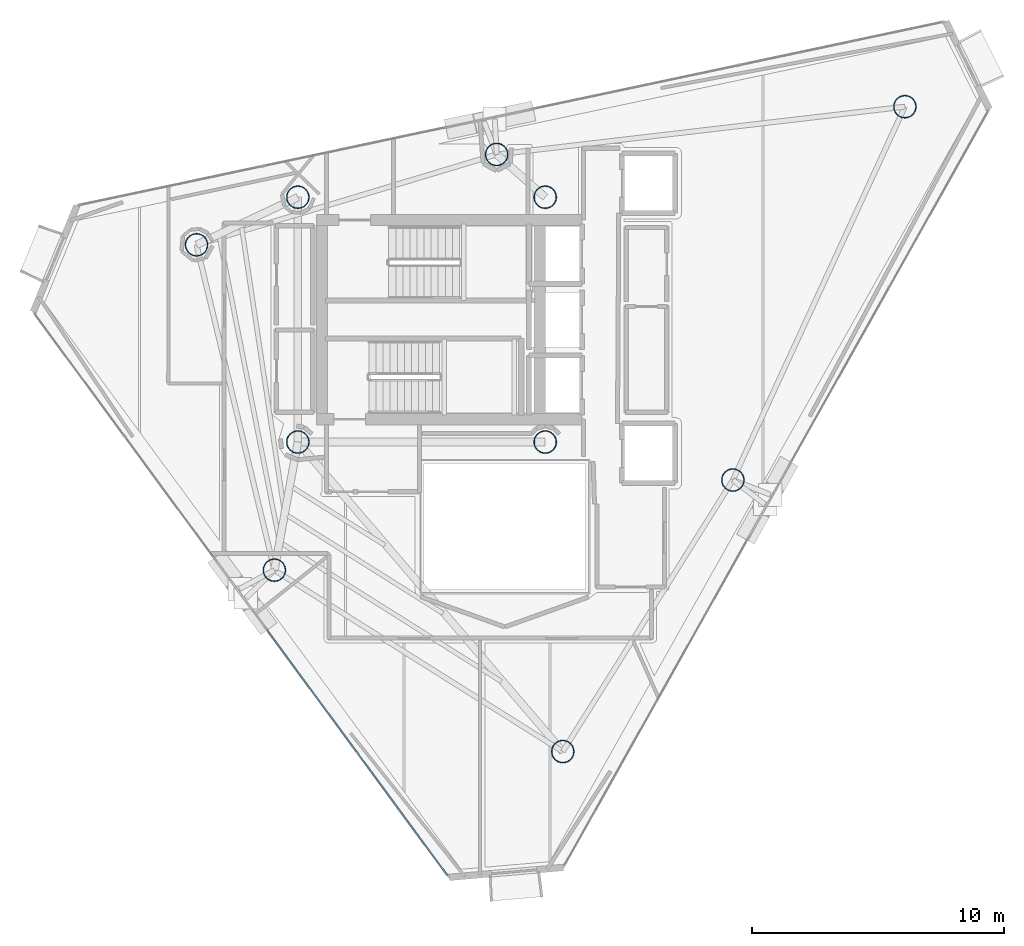
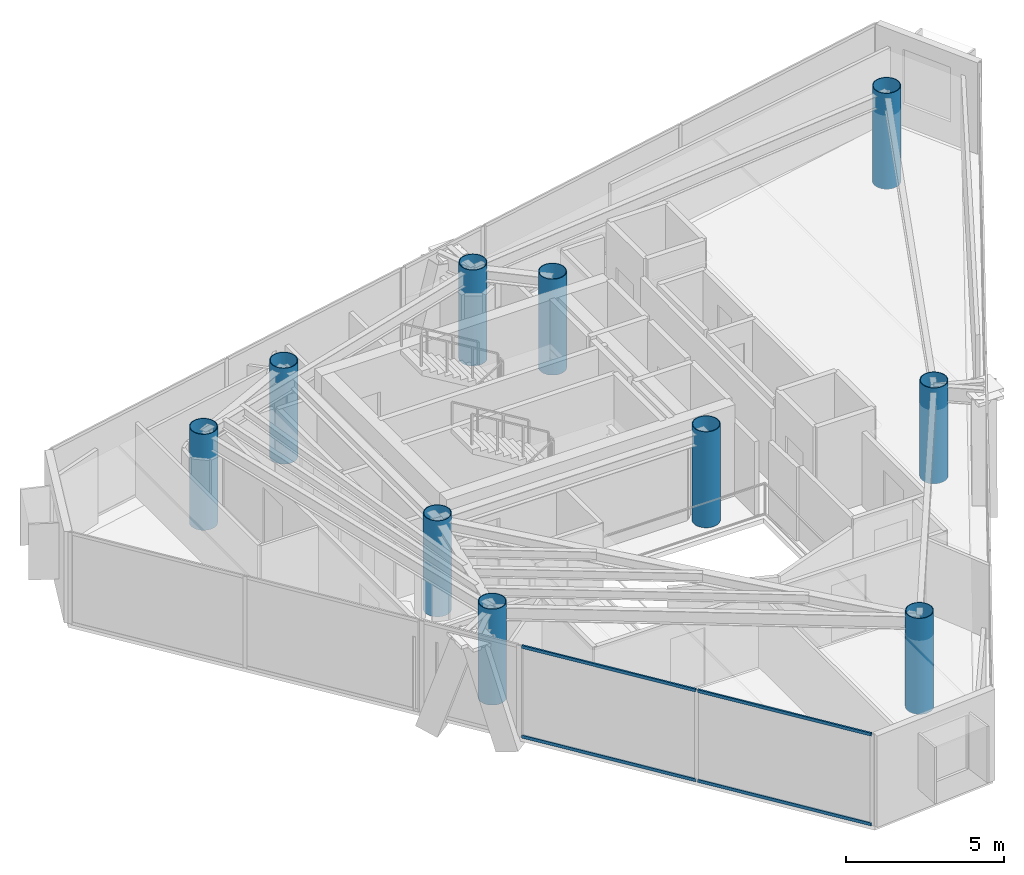
# One storey, part 1 of 21: 10 columns, 4 members, 1 element without a shape of its own.
"""IFC4 building model written with IfcOpenShell, lengths in metres."""

from ifc_helpers import new_model, si_unit, direction, frame, origin, origin_2d, place, context, subcontext, project, spatial, hollow_rectangle, hollow_circle, extrude, material, layer, layer_set, material_profile, profile_set, type_object, element, aggregate, save


model = new_model("IFC4")

# Units and contexts
model_context = context("Model", 3, precision=1e-05, world=origin(), true_north=direction((0.0, 1.0)))
body_context = subcontext(model_context, "Body", "Model", "MODEL_VIEW")
ifc_project = project(units=[si_unit("LENGTHUNIT", "METRE"), si_unit("AREAUNIT", "SQUARE_METRE"), si_unit("VOLUMEUNIT", "CUBIC_METRE"), si_unit("PLANEANGLEUNIT", "RADIAN"), si_unit("MASSUNIT", "GRAM", prefix="KILO")], contexts=[model_context])

# Site, building, storey
site_placement = place(None, origin())
site = spatial("IfcSite", under=ifc_project, at=site_placement, CompositionType="ELEMENT")
building_placement = place(site_placement, origin())
building = spatial("IfcBuilding", under=site, at=building_placement, Name="Qianvela Tower", CompositionType="ELEMENT")
storey_placement = place(building_placement, frame((0.0, 0.0, 302.800048828125)))
storey = spatial("IfcBuildingStorey", under=building, at=storey_placement, Name="L78", CompositionType="ELEMENT", Elevation=302.800048828125)

# Columns
ifc_material_1 = material(Name="Steel Q420GJC", Category="steel")
ifc_material_profile_1 = material_profile(ifc_material_1, hollow_circle(Radius=0.449951171875, WallThickness=0.02490234375, at=origin_2d()), Name="CFT-900x25")
ifc_profile_set_1 = profile_set([ifc_material_profile_1], Name="Steel Q420GJC")
column_type = type_object("IfcColumnType", Name="COL-CFT-900x25", PredefinedType="COLUMN", material=ifc_profile_set_1)
for number, where, z_axis, x_axis, name in (
    (1, (28.60009765625, 33.550048828125, 0.0), (0.0, 0.0, 1.0), (1.0, 0.0, 0.0), "L78 Core Corner Mega-Column CC-NW"),
    (2, (28.60009765625, 23.85009765625, 0.0), (0.0, 0.0, 1.0), (1.0, 0.0, 0.0), "L78 Core Corner Mega-Column CC-SW"),
    (3, (38.39990234375, 33.550048828125, 0.0), (0.0, 0.0, 1.0), (1.0, 0.0, 0.0), "L78 Core Corner Mega-Column CC-NE"),
    (4, (38.39990234375, 23.85009765625, 0.0), (0.0, 0.0, 1.0), (1.0, 0.0, 0.0), "L78 Core Corner Mega-Column CC-SE"),
    (5, (52.64794921875, 37.135009765625, 0.0), (0.0, 0.0, 1.0), (1.0, 0.0, 0.0), "L78 Zone Z7 CFT Mega-Column C1"),
    (6, (36.47607421875, 35.242919921875, 0.0), (0.0, 0.0, 1.0), (1.0, 0.0, 0.0), "L78 Zone Z7 CFT Mega-Column C2"),
    (7, (24.5869140625, 31.6630859375, 0.0), (0.0, 0.0, 1.0), (1.0, 0.0, 0.0), "L78 Zone Z7 CFT Mega-Column C3"),
    (8, (27.669921875, 18.77392578125, 0.0), (0.0, 0.0, 1.0), (1.0, 0.0, 0.0), "L78 Zone Z7 CFT Mega-Column C4"),
    (9, (39.095947265625, 11.587890625, 0.0), (0.0, 0.0, 1.0), (1.0, 0.0, 0.0), "L78 Zone Z7 CFT Mega-Column C5"),
    (10, (45.833984375, 22.344970703125, 0.0), (0.0, 0.0, 1.0), (1.0, 0.0, 0.0), "L78 Zone Z7 CFT Mega-Column C6"),
):
    element("IfcColumn", number, at=place(storey_placement, frame(where, z_axis=z_axis, x_axis=x_axis)), inside=storey, type_object=column_type, Name=name, PredefinedType="COLUMN", context=body_context, shape_type="SweptSolid", body=[
        extrude(hollow_circle(Radius=0.449951171875, WallThickness=0.02490234375, at=origin_2d()), origin(), (0.0, 0.0, 1.0), 3.699951171875),
    ])

# Curtain wall, members
ifc_material_2 = material(Name="Anodised Architectural Aluminium and Low-E Glass", Category="aluminium")
ifc_layer = layer(ifc_material_2, 0.14990234375)
ifc_layer_set = layer_set([ifc_layer], Name="Anodised Architectural Aluminium and Low-E Glass")
curtain_wall_type = type_object("IfcCurtainWallType", Name="CW-COLIV-Z78", PredefinedType="USERDEFINED", material=ifc_layer_set)
curtain_wall_placement = place(storey_placement, origin())
curtain_wall = element("IfcCurtainWall", 11, at=curtain_wall_placement, inside=storey, type_object=curtain_wall_type, Name="L78 CW-COLIV-Z78 Curtain Wall 04C", ObjectType="CURTAIN_WALL_SYSTEM", PredefinedType="USERDEFINED")
ifc_material_3 = material(Name="Anodised Architectural Aluminium 6063-T6", Category="aluminium")
ifc_material_profile_2 = material_profile(ifc_material_3, hollow_rectangle(XDim=0.06005859375, YDim=0.114990234375, WallThickness=0.00390625, at=origin_2d()), Name="ALU-TRAN-60x115")
ifc_profile_set_2 = profile_set([ifc_material_profile_2], Name="Anodised Architectural Aluminium 6063-T6")
member_type = type_object("IfcMemberType", Name="CW-COLIV-Z78-TRAN", PredefinedType="USERDEFINED", material=ifc_profile_set_2)
member_1_placement = place(storey_placement, frame((27.38720703125, 16.400634765625, 0.030029296875), z_axis=(0.592297159283, -0.805719600795, 0.0), x_axis=(0.805719600795, 0.592297159283, 0.0)))
member_1 = element("IfcMember", 12, at=member_1_placement, type_object=member_type, Name="CW-6 transom 1.1", ObjectType="TRANSOM", PredefinedType="USERDEFINED", context=body_context, shape_type="SweptSolid", body=[
    extrude(hollow_rectangle(XDim=0.06005859375, YDim=0.114990234375, WallThickness=0.00390625, at=origin_2d()), origin(), (0.0, 0.0, 1.0), 5.995361328125),
])
member_2_placement = place(storey_placement, frame((27.38720703125, 16.400634765625, 3.489990234375), z_axis=(0.592297159283, -0.805719600795, 0.0), x_axis=(0.805719600795, 0.592297159283, 0.0)))
member_2 = element("IfcMember", 13, at=member_2_placement, type_object=member_type, Name="CW-6 transom 1.2", ObjectType="TRANSOM", PredefinedType="USERDEFINED", context=body_context, shape_type="SweptSolid", body=[
    extrude(hollow_rectangle(XDim=0.06005859375, YDim=0.114990234375, WallThickness=0.00390625, at=origin_2d()), origin(), (0.0, 0.0, 1.0), 5.995361328125),
])
member_3_placement = place(storey_placement, frame((30.973876953125, 11.521728515625, 0.030029296875), z_axis=(0.592297159283, -0.805719600795, 0.0), x_axis=(0.805719600795, 0.592297159283, 0.0)))
member_3 = element("IfcMember", 14, at=member_3_placement, type_object=member_type, Name="CW-6 transom 2.1", ObjectType="TRANSOM", PredefinedType="USERDEFINED", context=body_context, shape_type="SweptSolid", body=[
    extrude(hollow_rectangle(XDim=0.06005859375, YDim=0.114990234375, WallThickness=0.00390625, at=origin_2d()), origin(), (0.0, 0.0, 1.0), 5.995361328125),
])
member_4_placement = place(storey_placement, frame((30.973876953125, 11.521728515625, 3.489990234375), z_axis=(0.592297159283, -0.805719600795, 0.0), x_axis=(0.805719600795, 0.592297159283, 0.0)))
member_4 = element("IfcMember", 15, at=member_4_placement, type_object=member_type, Name="CW-6 transom 2.2", ObjectType="TRANSOM", PredefinedType="USERDEFINED", context=body_context, shape_type="SweptSolid", body=[
    extrude(hollow_rectangle(XDim=0.06005859375, YDim=0.114990234375, WallThickness=0.00390625, at=origin_2d()), origin(), (0.0, 0.0, 1.0), 5.995361328125),
])
aggregate(curtain_wall, [member_1, member_2, member_3, member_4])

save(model, "model.ifc")
